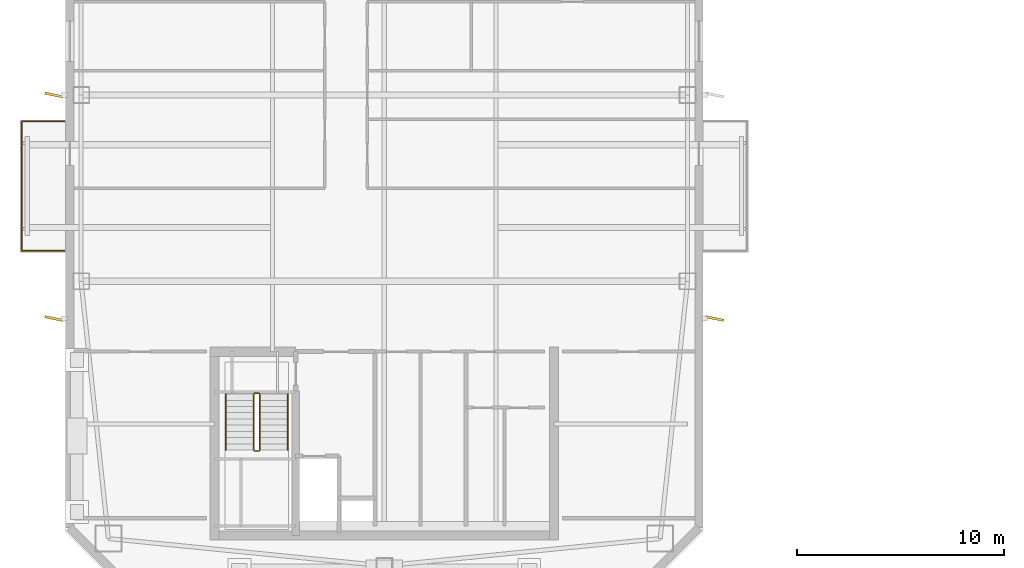
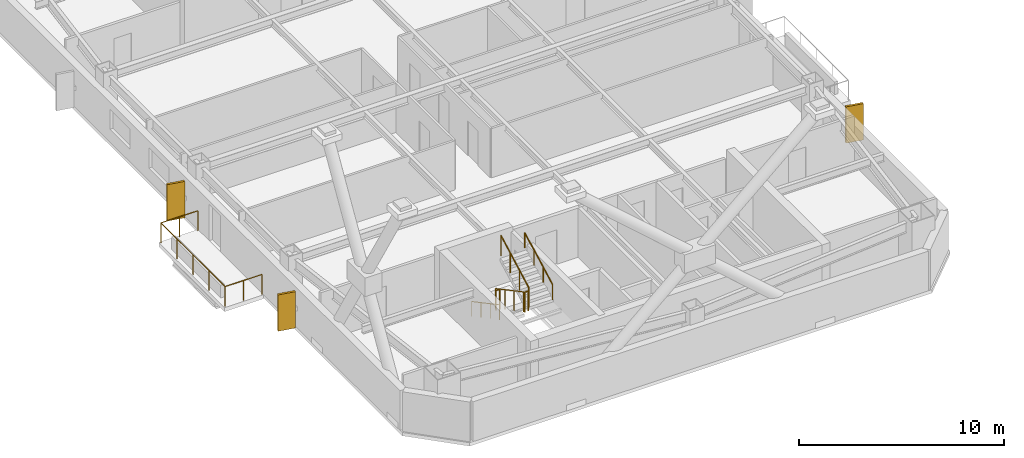
# One storey, part 14 of 18: 7 railings, 3 shading devices.
"""IFC4 building model written with IfcOpenShell, lengths in metres."""

from ifc_helpers import new_model, si_unit, direction, frame, origin, origin_2d, place, context, subcontext, project, spatial, rectangle, circle, extrude, material, layer, layer_set, type_object, element, save


model = new_model("IFC4")

# Units and contexts
model_context = context("Model", 3, precision=1e-05, world=origin(), true_north=direction((0.0, 1.0)))
body_context = subcontext(model_context, "Body", "Model", "MODEL_VIEW")
ifc_project = project(units=[si_unit("LENGTHUNIT", "METRE"), si_unit("AREAUNIT", "SQUARE_METRE"), si_unit("VOLUMEUNIT", "CUBIC_METRE"), si_unit("PLANEANGLEUNIT", "RADIAN"), si_unit("MASSUNIT", "GRAM", prefix="KILO")], contexts=[model_context])

# Site, building, storey
site_placement = place(None, origin())
site = spatial("IfcSite", under=ifc_project, at=site_placement, CompositionType="ELEMENT")
building_placement = place(site_placement, origin())
building = spatial("IfcBuilding", under=site, at=building_placement, Name="Qiaolan Cultural Towers", CompositionType="ELEMENT")
storey_placement = place(building_placement, frame((0.0, 0.0, 237.60009765625)))
storey = spatial("IfcBuildingStorey", under=building, at=storey_placement, Name="L64", CompositionType="ELEMENT", Elevation=237.60009765625)

# Railings
ifc_material_1 = material(Name="Laminated SentryGlas & Stainless Steel S31608 Balustrade", Category="steel")
railing_type_1 = type_object("IfcRailingType", Name="GRD-TERR-1200", PredefinedType="BALUSTRADE", material=ifc_material_1)
railing_1_placement = place(storey_placement, frame((14.550048828125, 26.47998046875, 0.0)))
element("IfcRailing", 1, at=railing_1_placement, inside=storey, type_object=railing_type_1, Name="L64 T1 Tree Balcony Guardrail W", PredefinedType="BALUSTRADE", context=body_context, shape_type="SweptSolid", body=[
    extrude(circle(Radius=0.02392578125, at=origin_2d()), frame((0.0, 0.0, 1.17578125), z_axis=(-1.0, 0.0, 0.0), x_axis=(0.0, -1.0, 0.0)), (0.0, 0.0, 1.0), 2.070068359375),
    extrude(circle(Radius=0.02392578125, at=origin_2d()), frame((-2.070068359375, 0.0, 1.17578125), z_axis=(0.0, 1.0, 0.0), x_axis=(-1.0, 0.0, 0.0)), (0.0, 0.0, 1.0), 6.239990234375),
    extrude(circle(Radius=0.02392578125, at=origin_2d()), frame((-2.070068359375, 6.239990234375, 1.17578125), z_axis=(1.0, 0.0, 0.0), x_axis=(0.0, 1.0, 0.0)), (0.0, 0.0, 1.0), 2.070068359375),
    extrude(circle(Radius=0.02099609375, at=origin_2d()), origin(), (0.0, 0.0, 1.0), 1.15185546875),
    extrude(circle(Radius=0.02099609375, at=origin_2d()), frame((-1.03515625, 0.0, 0.0)), (0.0, 0.0, 1.0), 1.15185546875),
    extrude(circle(Radius=0.02099609375, at=origin_2d()), frame((-2.070068359375, 0.0, 0.0)), (0.0, 0.0, 1.0), 1.15185546875),
    extrude(circle(Radius=0.02099609375, at=origin_2d()), frame((-2.070068359375, 1.56005859375, 0.0)), (0.0, 0.0, 1.0), 1.15185546875),
    extrude(circle(Radius=0.02099609375, at=origin_2d()), frame((-2.070068359375, 3.1201171875, 0.0)), (0.0, 0.0, 1.0), 1.15185546875),
    extrude(circle(Radius=0.02099609375, at=origin_2d()), frame((-2.070068359375, 4.679931640625, 0.0)), (0.0, 0.0, 1.0), 1.15185546875),
    extrude(circle(Radius=0.02099609375, at=origin_2d()), frame((-2.070068359375, 6.239990234375, 0.0)), (0.0, 0.0, 1.0), 1.15185546875),
    extrude(circle(Radius=0.02099609375, at=origin_2d()), frame((-1.03515625, 6.239990234375, 0.0)), (0.0, 0.0, 1.0), 1.15185546875),
    extrude(circle(Radius=0.02099609375, at=origin_2d()), frame((0.0, 6.239990234375, 0.0)), (0.0, 0.0, 1.0), 1.15185546875),
])
ifc_material_2 = material(Name="Galvanized Painted Steel Stair Guardrail", Category="steel")
railing_type_2 = type_object("IfcRailingType", Name="RL-STAIR-GRD", PredefinedType="GUARDRAIL", material=ifc_material_2)
railing_2_placement = place(storey_placement, frame((23.68994140625, 19.550048828125, 0.159912109375)))
element("IfcRailing", 2, at=railing_2_placement, inside=storey, type_object=railing_type_2, Name="L64 ST-W1 stair guard 1", PredefinedType="GUARDRAIL", context=body_context, shape_type="SweptSolid", body=[
    extrude(circle(Radius=0.02392578125, at=origin_2d()), frame((0.0, 0.0, 1.17578125), z_axis=(0.0, -0.882357358376, 0.470579952952), x_axis=(1.0, 0.0, 0.0)), (0.0, 0.0, 1.0), 3.059814453125),
    extrude(circle(Radius=0.02099609375, at=origin_2d()), origin(), (0.0, 0.0, 1.0), 1.15185546875),
    extrude(circle(Radius=0.02099609375, at=origin_2d()), frame((0.0, -0.89990234375, 0.47998046875)), (0.0, 0.0, 1.0), 1.15185546875),
    extrude(circle(Radius=0.02099609375, at=origin_2d()), frame((0.0, -1.800048828125, 0.9599609375)), (0.0, 0.0, 1.0), 1.15185546875),
    extrude(circle(Radius=0.02099609375, at=origin_2d()), frame((0.0, -2.699951171875, 1.43994140625)), (0.0, 0.0, 1.0), 1.15185546875),
])
railing_3_placement = place(storey_placement, frame((23.739990234375, 16.800048828125, 1.599853515625)))
element("IfcRailing", 3, at=railing_3_placement, inside=storey, type_object=railing_type_2, Name="L64 ST-W1 stair guard 2", PredefinedType="GUARDRAIL", context=body_context, shape_type="SweptSolid", body=[
    extrude(circle(Radius=0.02392578125, at=origin_2d()), frame((0.0, 0.0, 1.17578125), z_axis=(1.0, 0.0, 0.0), x_axis=(0.0, 1.0, 0.0)), (0.0, 0.0, 1.0), 0.199951171875),
    extrude(circle(Radius=0.02099609375, at=origin_2d()), origin(), (0.0, 0.0, 1.0), 1.15185546875),
    extrude(circle(Radius=0.02099609375, at=origin_2d()), frame((0.199951171875, 0.0, 0.0)), (0.0, 0.0, 1.0), 1.15185546875),
])
railing_4_placement = place(storey_placement, frame((23.989990234375, 16.85009765625, 1.760009765625)))
element("IfcRailing", 4, at=railing_4_placement, inside=storey, type_object=railing_type_2, Name="L64 ST-W1 stair guard 3", PredefinedType="GUARDRAIL", context=body_context, shape_type="SweptSolid", body=[
    extrude(circle(Radius=0.02392578125, at=origin_2d()), frame((0.0, 0.0, 1.17578125), z_axis=(0.0, 0.882357358376, 0.470579952952), x_axis=(-1.0, 0.0, 0.0)), (0.0, 0.0, 1.0), 3.059814453125),
    extrude(circle(Radius=0.02099609375, at=origin_2d()), origin(), (0.0, 0.0, 1.0), 1.15185546875),
    extrude(circle(Radius=0.02099609375, at=origin_2d()), frame((0.0, 0.89990234375, 0.47998046875)), (0.0, 0.0, 1.0), 1.15185546875),
    extrude(circle(Radius=0.02099609375, at=origin_2d()), frame((0.0, 1.800048828125, 0.9599609375)), (0.0, 0.0, 1.0), 1.15185546875),
    extrude(circle(Radius=0.02099609375, at=origin_2d()), frame((0.0, 2.699951171875, 1.43994140625)), (0.0, 0.0, 1.0), 1.15185546875),
])
railing_5_placement = place(storey_placement, frame((23.739990234375, 19.60009765625, 0.0)))
element("IfcRailing", 5, at=railing_5_placement, inside=storey, type_object=railing_type_2, Name="L64 ST-W1 stair guard 4", PredefinedType="GUARDRAIL", context=body_context, shape_type="SweptSolid", body=[
    extrude(circle(Radius=0.02392578125, at=origin_2d()), frame((0.0, 0.0, 1.17578125), z_axis=(1.0, 0.0, 0.0), x_axis=(0.0, 1.0, 0.0)), (0.0, 0.0, 1.0), 0.199951171875),
    extrude(circle(Radius=0.02099609375, at=origin_2d()), origin(), (0.0, 0.0, 1.0), 1.15185546875),
    extrude(circle(Radius=0.02099609375, at=origin_2d()), frame((0.199951171875, 0.0, 0.0)), (0.0, 0.0, 1.0), 1.15185546875),
])
ifc_material_3 = material(Name="Stainless Steel S30408 Tubular Handrail", Category="steel")
railing_type_3 = type_object("IfcRailingType", Name="RL-STAIR-HR", PredefinedType="HANDRAIL", material=ifc_material_3)
railing_6_placement = place(storey_placement, frame((22.35009765625, 19.550048828125, 0.159912109375)))
element("IfcRailing", 6, at=railing_6_placement, inside=storey, type_object=railing_type_3, Name="L64 ST-W1 stair handrail 1", PredefinedType="HANDRAIL", context=body_context, shape_type="SweptSolid", body=[
    extrude(circle(Radius=0.02392578125, at=origin_2d()), frame((0.0, 0.0, 0.8759765625), z_axis=(0.0, -0.882357358376, 0.470579952952), x_axis=(1.0, 0.0, 0.0)), (0.0, 0.0, 1.0), 3.059814453125),
    extrude(circle(Radius=0.02099609375, at=origin_2d()), origin(), (0.0, 0.0, 1.0), 0.851806640625),
    extrude(circle(Radius=0.02099609375, at=origin_2d()), frame((0.0, -0.89990234375, 0.47998046875)), (0.0, 0.0, 1.0), 0.851806640625),
    extrude(circle(Radius=0.02099609375, at=origin_2d()), frame((0.0, -1.800048828125, 0.9599609375)), (0.0, 0.0, 1.0), 0.851806640625),
    extrude(circle(Radius=0.02099609375, at=origin_2d()), frame((0.0, -2.699951171875, 1.43994140625)), (0.0, 0.0, 1.0), 0.851806640625),
])
railing_7_placement = place(storey_placement, frame((25.330078125, 16.85009765625, 1.760009765625)))
element("IfcRailing", 7, at=railing_7_placement, inside=storey, type_object=railing_type_3, Name="L64 ST-W1 stair handrail 2", PredefinedType="HANDRAIL", context=body_context, shape_type="SweptSolid", body=[
    extrude(circle(Radius=0.02392578125, at=origin_2d()), frame((0.0, 0.0, 0.8759765625), z_axis=(0.0, 0.882357358376, 0.470579952952), x_axis=(-1.0, 0.0, 0.0)), (0.0, 0.0, 1.0), 3.059814453125),
    extrude(circle(Radius=0.02099609375, at=origin_2d()), origin(), (0.0, 0.0, 1.0), 0.851806640625),
    extrude(circle(Radius=0.02099609375, at=origin_2d()), frame((0.0, 0.89990234375, 0.47998046875)), (0.0, 0.0, 1.0), 0.851806640625),
    extrude(circle(Radius=0.02099609375, at=origin_2d()), frame((0.0, 1.800048828125, 0.9599609375)), (0.0, 0.0, 1.0), 0.851806640625),
    extrude(circle(Radius=0.02099609375, at=origin_2d()), frame((0.0, 2.699951171875, 1.43994140625)), (0.0, 0.0, 1.0), 0.851806640625),
])

# Shading devices
ifc_material_4 = material(Name="Light Limestone Precast Vertical Fin", Category="masonry")
ifc_layer = layer(ifc_material_4, 0.1201171875)
ifc_layer_set = layer_set([ifc_layer], Name="Light Limestone Precast Vertical Fin")
shading_device_type = type_object("IfcShadingDeviceType", Name="SHD-FIN-WHITE", PredefinedType="USERDEFINED", material=ifc_layer_set)
for number, where, z_axis, x_axis, name in (
    (8, (14.0400390625, 23.199951171875, 0.10009765625), (0.0, 0.0, 1.0), (0.979957166978, -0.19920831029, 0.0), "L64 T1 Expressive Precast Vertical Fin W1"),
    (9, (14.0400390625, 34.0, 0.10009765625), (0.0, 0.0, 1.0), (0.979957166978, -0.19920831029, 0.0), "L64 T1 Expressive Precast Vertical Fin W2"),
    (10, (45.9599609375, 23.199951171875, 0.10009765625), (0.0, 0.0, 1.0), (0.979957166978, -0.19920831029, 0.0), "L64 T1 Expressive Precast Vertical Fin E1"),
):
    element("IfcShadingDevice", number, at=place(storey_placement, frame(where, z_axis=z_axis, x_axis=x_axis)), inside=storey, type_object=shading_device_type, Name=name, ObjectType="FIN", PredefinedType="USERDEFINED", context=body_context, shape_type="SweptSolid", body=[
        extrude(rectangle(XDim=0.89990234375, YDim=0.1201171875, at=origin_2d()), origin(), (0.0, 0.0, 1.0), 2.159912109375),
    ])

save(model, "model.ifc")
